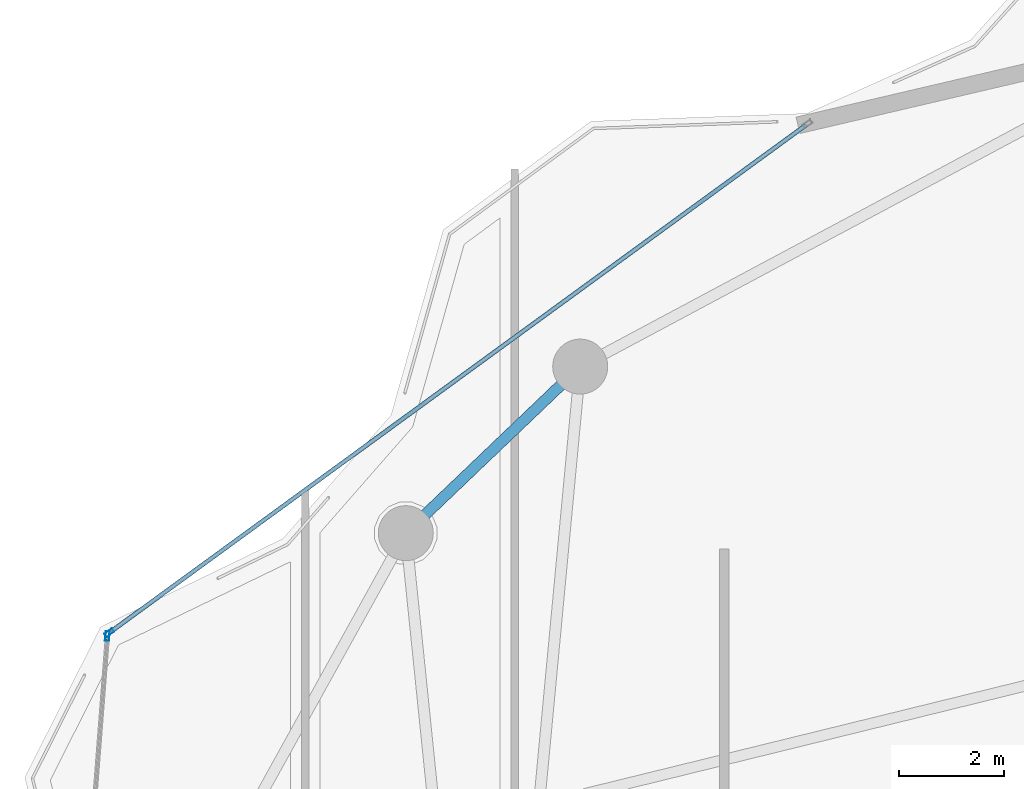
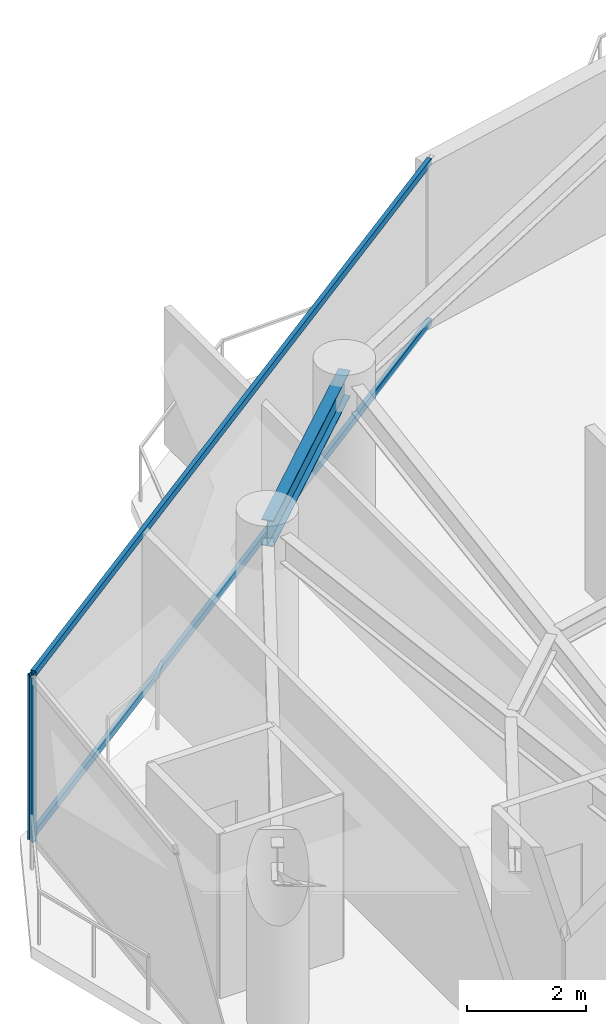
# One storey, part 17 of 31: 4 members, 1 beam, 2 elements without a shape of their own.
"""IFC4 building model written with IfcOpenShell, lengths in metres."""

from ifc_helpers import new_model, si_unit, direction, frame, origin, origin_2d, place, context, subcontext, project, spatial, hollow_rectangle, i_section, extrude, material, layer, layer_set, material_profile, profile_set, type_object, element, aggregate, save


model = new_model("IFC4")

# Units and contexts
model_context = context("Model", 3, precision=1e-05, world=origin(), true_north=direction((0.0, 1.0)))
body_context = subcontext(model_context, "Body", "Model", "MODEL_VIEW")
ifc_project = project(units=[si_unit("LENGTHUNIT", "METRE"), si_unit("AREAUNIT", "SQUARE_METRE"), si_unit("VOLUMEUNIT", "CUBIC_METRE"), si_unit("PLANEANGLEUNIT", "RADIAN"), si_unit("MASSUNIT", "GRAM", prefix="KILO")], contexts=[model_context])

# Site, building, storey
site_placement = place(None, origin())
site = spatial("IfcSite", under=ifc_project, at=site_placement, CompositionType="ELEMENT")
building_placement = place(site_placement, origin())
building = spatial("IfcBuilding", under=site, at=building_placement, Name="Kazevale Care Tower and Concert Hall", CompositionType="ELEMENT")
storey_placement = place(building_placement, frame((0.0, 0.0, 206.39990234375)))
storey = spatial("IfcBuildingStorey", under=building, at=storey_placement, Name="L54", CompositionType="ELEMENT", Elevation=206.39990234375)

# Curtain wall, member
ifc_material_1 = material(Name="Aluminium 6063-T6 and Low-E Glass", Category="aluminium")
ifc_layer = layer(ifc_material_1, 0.179931640625)
ifc_layer_set = layer_set([ifc_layer], Name="Aluminium 6063-T6 and Low-E Glass")
curtain_wall_type = type_object("IfcCurtainWallType", Name="Waist & Upper Residential Curtain Wall CW-4", PredefinedType="NOTDEFINED", material=ifc_layer_set)
curtain_wall_1_placement = place(storey_placement, origin())
curtain_wall_1 = element("IfcCurtainWall", 1, at=curtain_wall_1_placement, inside=storey, type_object=curtain_wall_type, Name="cw:L54:f13", PredefinedType="NOTDEFINED")
ifc_material_2 = material(Name="Aluminium 6063-T6", Category="aluminium")
ifc_material_profile_1 = material_profile(ifc_material_2, hollow_rectangle(XDim=0.080078125, YDim=0.179931640625, WallThickness=0.0048828125, at=origin_2d()), Name="ALU80x180x5")
ifc_profile_set_1 = profile_set([ifc_material_profile_1], Name="Aluminium 6063-T6")
member_type_1 = type_object("IfcMemberType", Name="CW-4 Mullion ALU80x180x5", PredefinedType="MULLION", material=ifc_profile_set_1)
member_1_placement = place(storey_placement, frame((14.722900390625, 49.865234375, 0.0), z_axis=(0.0, 0.0, 1.0), x_axis=(-0.996989311372, 0.077539106325, 0.0)))
member_1 = element("IfcMember", 2, at=member_1_placement, type_object=member_type_1, Name="CW-4 mullion 2", PredefinedType="MULLION", context=body_context, shape_type="SweptSolid", body=[
    extrude(hollow_rectangle(XDim=0.080078125, YDim=0.179931640625, WallThickness=0.0048828125, at=origin_2d()), origin(), (0.0, 0.0, 1.0), 3.360107421875),
])
aggregate(curtain_wall_1, [member_1])

# Curtain wall, members
curtain_wall_2_placement = place(storey_placement, origin())
curtain_wall_2 = element("IfcCurtainWall", 3, at=curtain_wall_2_placement, inside=storey, type_object=curtain_wall_type, Name="cw:L54:f14", PredefinedType="NOTDEFINED")
member_2_placement = place(storey_placement, frame((14.75830078125, 49.928466796875, 0.0), z_axis=(0.0, 0.0, 1.0), x_axis=(-0.588910374145, 0.808198348937, 0.0)))
member_2 = element("IfcMember", 4, at=member_2_placement, type_object=member_type_1, Name="CW-4 mullion 1", PredefinedType="MULLION", context=body_context, shape_type="SweptSolid", body=[
    extrude(hollow_rectangle(XDim=0.080078125, YDim=0.179931640625, WallThickness=0.0048828125, at=origin_2d()), origin(), (0.0, 0.0, 1.0), 3.360107421875),
])
ifc_material_profile_2 = material_profile(ifc_material_2, hollow_rectangle(XDim=0.080078125, YDim=0.139892578125, WallThickness=0.00390625, at=origin_2d()), Name="ALU80x140x4")
ifc_profile_set_2 = profile_set([ifc_material_profile_2], Name="Aluminium 6063-T6")
member_type_2 = type_object("IfcMemberType", Name="CW-4 Transom ALU80x140x4", PredefinedType="USERDEFINED", material=ifc_profile_set_2)
member_3_placement = place(storey_placement, frame((14.790771484375, 49.9521484375, 0.0400390625), z_axis=(0.808197463946, 0.588911588672, 0.0), x_axis=(-0.588911588672, 0.808197463946, 0.0)))
member_3 = element("IfcMember", 5, at=member_3_placement, type_object=member_type_2, Name="CW-4 transom 1.1", ObjectType="TRANSOM", PredefinedType="USERDEFINED", context=body_context, shape_type="SweptSolid", body=[
    extrude(hollow_rectangle(XDim=0.080078125, YDim=0.139892578125, WallThickness=0.00390625, at=origin_2d()), origin(), (0.0, 0.0, 1.0), 16.416259765625),
])
member_4_placement = place(storey_placement, frame((14.790771484375, 49.9521484375, 3.320068359375), z_axis=(0.808197463946, 0.588911588672, 0.0), x_axis=(-0.588911588672, 0.808197463946, 0.0)))
member_4 = element("IfcMember", 6, at=member_4_placement, type_object=member_type_2, Name="CW-4 transom 1.2", ObjectType="TRANSOM", PredefinedType="USERDEFINED", context=body_context, shape_type="SweptSolid", body=[
    extrude(hollow_rectangle(XDim=0.080078125, YDim=0.139892578125, WallThickness=0.00390625, at=origin_2d()), origin(), (0.0, 0.0, 1.0), 16.416259765625),
])
aggregate(curtain_wall_2, [member_2, member_3, member_4])

# Beam
ifc_material_3 = material(Name="Steel ASTM A572 Gr 50", Category="steel")
ifc_material_profile_3 = material_profile(ifc_material_3, i_section(OverallWidth=0.208984375, OverallDepth=0.532958984375, WebThickness=0.01025390625, FlangeThickness=0.015625, at=origin_2d()), Name="W530x92")
ifc_profile_set_3 = profile_set([ifc_material_profile_3], Name="Steel ASTM A572 Gr 50")
beam_type = type_object("IfcBeamType", Name="Upper Ring Beam W530x92", PredefinedType="BEAM", material=ifc_profile_set_3)
beam_placement = place(storey_placement, frame((23.75, 55.010009765625, 3.093505859375), z_axis=(-0.723223118589, -0.690614451585, 0.0), x_axis=(0.690614451585, -0.723223118589, 0.0)))
element("IfcBeam", 7, at=beam_placement, inside=storey, type_object=beam_type, Name="beam:L54:ring:07", PredefinedType="BEAM", context=body_context, shape_type="SweptSolid", body=[
    extrude(i_section(OverallWidth=0.208984375, OverallDepth=0.532958984375, WebThickness=0.01025390625, FlangeThickness=0.015625, at=origin_2d()), origin(), (0.0, 0.0, 1.0), 4.6044921875),
])

save(model, "model.ifc")
